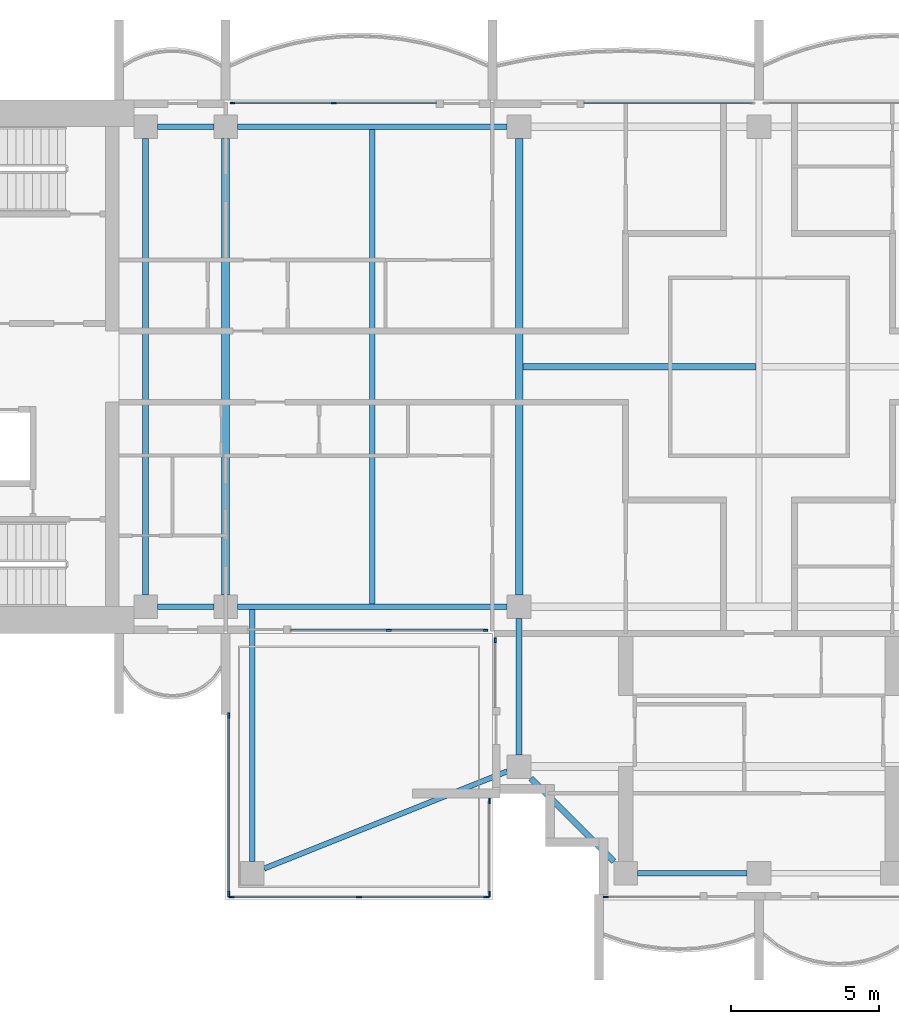
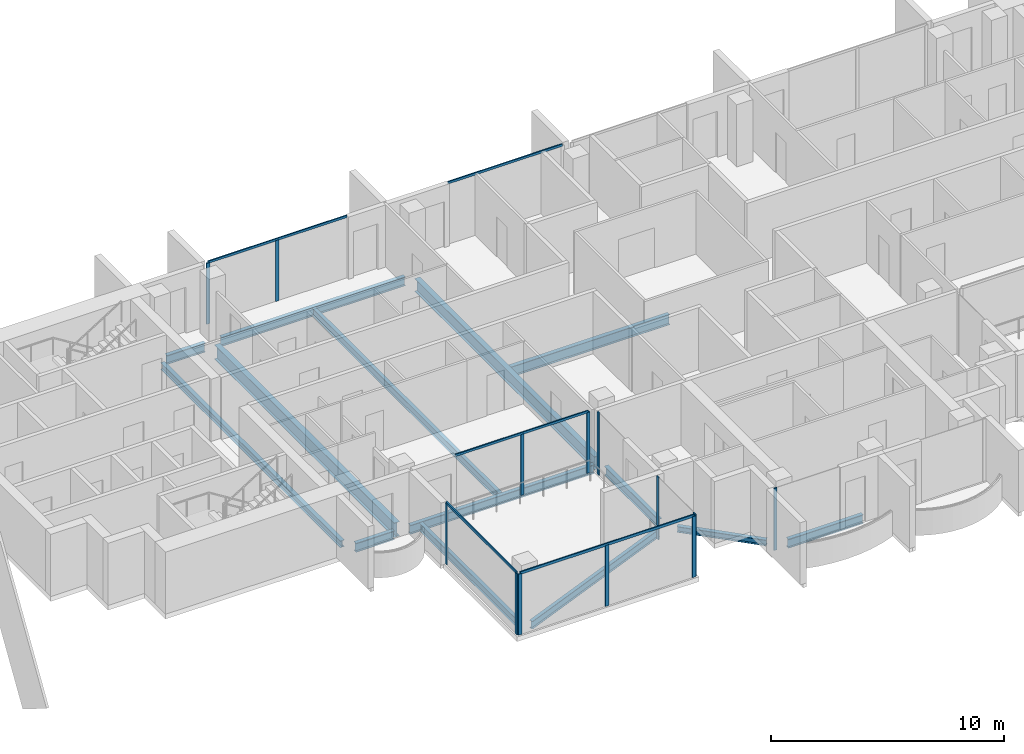
# One storey, part 2 of 16: 18 members, 14 beams, 8 elements without a shape of their own.
"""IFC4 building model written with IfcOpenShell, lengths in metres."""

from ifc_helpers import new_model, si_unit, direction, frame, origin, origin_2d, place, context, subcontext, project, spatial, rectangle, i_section, extrude, material, material_profile, profile_set, type_object, element, aggregate, save


model = new_model("IFC4")

# Units and contexts
model_context = context("Model", 3, precision=1e-05, world=origin(), true_north=direction((0.0, 1.0)))
body_context = subcontext(model_context, "Body", "Model", "MODEL_VIEW")
ifc_project = project(units=[si_unit("LENGTHUNIT", "METRE"), si_unit("AREAUNIT", "SQUARE_METRE"), si_unit("VOLUMEUNIT", "CUBIC_METRE"), si_unit("PLANEANGLEUNIT", "RADIAN"), si_unit("MASSUNIT", "GRAM", prefix="KILO")], contexts=[model_context])

# Site, building, storey
site_placement = place(None, origin())
site = spatial("IfcSite", under=ifc_project, at=site_placement, CompositionType="ELEMENT")
building_placement = place(site_placement, origin())
building = spatial("IfcBuilding", under=site, at=building_placement, Name="Perihelion Cross Residences", CompositionType="ELEMENT")
storey_placement = place(building_placement, frame((0.0, 0.0, 264.0)))
storey = spatial("IfcBuildingStorey", under=building, at=storey_placement, Name="L67", CompositionType="ELEMENT", Elevation=264.0)

# Curtain wall, members
ifc_material_1 = material(Name="Bronze anodised aluminium, tinted glazing", Category="aluminium")
curtain_wall_type_1 = type_object("IfcCurtainWallType", Name="CW1", PredefinedType="NOTDEFINED", material=ifc_material_1)
curtain_wall_1_placement = place(storey_placement, origin())
curtain_wall_1 = element("IfcCurtainWall", 1, at=curtain_wall_1_placement, inside=storey, type_object=curtain_wall_type_1, Name="Curtain wall CW1 L67 west side north bay 1", PredefinedType="NOTDEFINED")
ifc_material_2 = material(Name="Bronze anodised aluminium", Category="aluminium")
ifc_material_profile_1 = material_profile(ifc_material_2, rectangle(XDim=0.06005859375, YDim=0.159912109375, at=origin_2d()), Name="CW1 mullion")
ifc_profile_set_1 = profile_set([ifc_material_profile_1], Name="Bronze anodised aluminium")
member_type_1 = type_object("IfcMemberType", Name="CW1 mullion", PredefinedType="MULLION", material=ifc_profile_set_1)
member_1_placement = place(storey_placement, frame((-14.35009765625, 8.89990234375, 0.0), z_axis=(0.0, 0.0, 1.0), x_axis=(0.0, -1.0, 0.0)))
member_1 = element("IfcMember", 2, at=member_1_placement, type_object=member_type_1, Name="CW1 mullion 2", PredefinedType="MULLION", context=body_context, shape_type="SweptSolid", body=[
    extrude(rectangle(XDim=0.06005859375, YDim=0.159912109375, at=origin_2d()), origin(), (0.0, 0.0, 1.0), 3.18994140625),
])
member_2_placement = place(storey_placement, frame((-17.77001953125, 8.89990234375, 0.0), z_axis=(0.0, 0.0, 1.0), x_axis=(0.0, -1.0, 0.0)))
member_2 = element("IfcMember", 3, at=member_2_placement, type_object=member_type_1, Name="CW1 mullion 3", PredefinedType="MULLION", context=body_context, shape_type="SweptSolid", body=[
    extrude(rectangle(XDim=0.06005859375, YDim=0.159912109375, at=origin_2d()), origin(), (0.0, 0.0, 1.0), 3.18994140625),
])

curtain_wall_2_placement = place(storey_placement, origin())
curtain_wall_2 = element("IfcCurtainWall", 4, at=curtain_wall_2_placement, inside=storey, type_object=curtain_wall_type_1, Name="Curtain wall CW1 L67 west side south bay 2", PredefinedType="NOTDEFINED")
member_3_placement = place(storey_placement, frame((-12.5, -8.89990234375, 0.0), z_axis=(0.0, 0.0, 1.0), x_axis=(0.0, 1.0, 0.0)))
member_3 = element("IfcMember", 5, at=member_3_placement, type_object=member_type_1, Name="CW1 mullion 2", PredefinedType="MULLION", context=body_context, shape_type="SweptSolid", body=[
    extrude(rectangle(XDim=0.06005859375, YDim=0.159912109375, at=origin_2d()), origin(), (0.0, 0.0, 1.0), 3.18994140625),
])
member_4_placement = place(storey_placement, frame((-9.22998046875, -8.89990234375, 0.0), z_axis=(0.0, 0.0, 1.0), x_axis=(0.0, 1.0, 0.0)))
member_4 = element("IfcMember", 6, at=member_4_placement, type_object=member_type_1, Name="CW1 mullion 3", PredefinedType="MULLION", context=body_context, shape_type="SweptSolid", body=[
    extrude(rectangle(XDim=0.06005859375, YDim=0.159912109375, at=origin_2d()), origin(), (0.0, 0.0, 1.0), 3.18994140625),
])

# Curtain wall, member
curtain_wall_3_placement = place(storey_placement, origin())
curtain_wall_3 = element("IfcCurtainWall", 7, at=curtain_wall_3_placement, inside=storey, type_object=curtain_wall_type_1, Name="Curtain wall CW1 L67 south side west bay 1", PredefinedType="NOTDEFINED")
member_5_placement = place(storey_placement, frame((-8.89990234375, -9.22998046875, 0.0), z_axis=(0.0, 0.0, 1.0), x_axis=(1.0, 0.0, 0.0)))
member_5 = element("IfcMember", 8, at=member_5_placement, type_object=member_type_1, Name="CW1 mullion 1", PredefinedType="MULLION", context=body_context, shape_type="SweptSolid", body=[
    extrude(rectangle(XDim=0.06005859375, YDim=0.159912109375, at=origin_2d()), origin(), (0.0, 0.0, 1.0), 3.25),
])
aggregate(curtain_wall_3, [member_5])

curtain_wall_4_placement = place(storey_placement, origin())
curtain_wall_4 = element("IfcCurtainWall", 9, at=curtain_wall_4_placement, inside=storey, type_object=curtain_wall_type_1, Name="Curtain wall CW1 L67 south tip south bay 1", PredefinedType="NOTDEFINED")
member_6_placement = place(storey_placement, frame((-5.169921875, -17.89990234375, 0.0), z_axis=(0.0, 0.0, 1.0), x_axis=(0.0, 1.0, 0.0)))
member_6 = element("IfcMember", 10, at=member_6_placement, type_object=member_type_1, Name="CW1 mullion 1", PredefinedType="MULLION", context=body_context, shape_type="SweptSolid", body=[
    extrude(rectangle(XDim=0.06005859375, YDim=0.159912109375, at=origin_2d()), origin(), (0.0, 0.0, 1.0), 3.25),
])
aggregate(curtain_wall_4, [member_6])

curtain_wall_5_placement = place(storey_placement, origin())
curtain_wall_5 = element("IfcCurtainWall", 11, at=curtain_wall_5_placement, inside=storey, type_object=curtain_wall_type_1, Name="Curtain wall CW1 L67 north side east bay 2", PredefinedType="NOTDEFINED")
ifc_material_3 = material(Name="Bronze anodised aluminium", Category="aluminium")
ifc_material_profile_2 = material_profile(ifc_material_3, rectangle(XDim=0.06005859375, YDim=0.1201171875, at=origin_2d()), Name="CW1 transom")
ifc_profile_set_2 = profile_set([ifc_material_profile_2], Name="Bronze anodised aluminium")
member_type_2 = type_object("IfcMemberType", Name="CW1 transom", PredefinedType="USERDEFINED", material=ifc_profile_set_2)
member_7_placement = place(storey_placement, frame((-0.22998046875, 8.89990234375, 3.219970703125), z_axis=(-1.0, 0.0, 0.0), x_axis=(0.0, -1.0, 0.0)))
member_7 = element("IfcMember", 12, at=member_7_placement, type_object=member_type_2, Name="CW1 head transom", ObjectType="TRANSOM", PredefinedType="USERDEFINED", context=body_context, shape_type="SweptSolid", body=[
    extrude(rectangle(XDim=0.06005859375, YDim=0.1201171875, at=origin_2d()), origin(), (0.0, 0.0, 1.0), 5.669921875),
])
aggregate(curtain_wall_5, [member_7])

# Member
member_8_placement = place(storey_placement, frame((-10.89990234375, 8.89990234375, 3.219970703125), z_axis=(-1.0, 0.0, 0.0), x_axis=(0.0, -1.0, 0.0)))
member_8 = element("IfcMember", 13, at=member_8_placement, type_object=member_type_2, Name="CW1 head transom", ObjectType="TRANSOM", PredefinedType="USERDEFINED", context=body_context, shape_type="SweptSolid", body=[
    extrude(rectangle(XDim=0.06005859375, YDim=0.1201171875, at=origin_2d()), origin(), (0.0, 0.0, 1.0), 6.8701171875),
])

aggregate(curtain_wall_1, [member_1, member_2, member_8])

member_9_placement = place(storey_placement, frame((-15.800048828125, -8.89990234375, 3.219970703125), z_axis=(1.0, 0.0, 0.0), x_axis=(0.0, 1.0, 0.0)))
member_9 = element("IfcMember", 14, at=member_9_placement, type_object=member_type_2, Name="CW1 head transom", ObjectType="TRANSOM", PredefinedType="USERDEFINED", context=body_context, shape_type="SweptSolid", body=[
    extrude(rectangle(XDim=0.06005859375, YDim=0.1201171875, at=origin_2d()), origin(), (0.0, 0.0, 1.0), 6.570068359375),
])

aggregate(curtain_wall_2, [member_3, member_4, member_9])

# Curtain wall, members
ifc_material_4 = material(Name="Bronze anodised aluminium, tinted glazing", Category="aluminium")
curtain_wall_type_2 = type_object("IfcCurtainWallType", Name="CW4", PredefinedType="NOTDEFINED", material=ifc_material_4)
curtain_wall_6_placement = place(storey_placement, origin())
curtain_wall_6 = element("IfcCurtainWall", 15, at=curtain_wall_6_placement, inside=storey, type_object=curtain_wall_type_2, Name="Curtain wall CW4 L67 pocket south-west 1 1", PredefinedType="NOTDEFINED")
ifc_material_5 = material(Name="Bronze anodised aluminium", Category="aluminium")
ifc_material_profile_3 = material_profile(ifc_material_5, rectangle(XDim=0.06005859375, YDim=0.179931640625, at=origin_2d()), Name="CW4 mullion")
ifc_profile_set_3 = profile_set([ifc_material_profile_3], Name="Bronze anodised aluminium")
member_type_3 = type_object("IfcMemberType", Name="CW4 mullion", PredefinedType="MULLION", material=ifc_profile_set_3)
member_10_placement = place(storey_placement, frame((-9.10009765625, -14.658935546875, 0.0), z_axis=(0.0, 0.0, 1.0), x_axis=(1.0, 0.0, 0.0)))
member_10 = element("IfcMember", 16, at=member_10_placement, type_object=member_type_3, Name="CW4 mullion 1", PredefinedType="MULLION", context=body_context, shape_type="SweptSolid", body=[
    extrude(rectangle(XDim=0.06005859375, YDim=0.179931640625, at=origin_2d()), origin(), (0.0, 0.0, 1.0), 3.25),
])
member_11_placement = place(storey_placement, frame((-9.10009765625, -17.800048828125, 0.0), z_axis=(0.0, 0.0, 1.0), x_axis=(1.0, 0.0, 0.0)))
member_11 = element("IfcMember", 17, at=member_11_placement, type_object=member_type_3, Name="CW4 mullion 2", PredefinedType="MULLION", context=body_context, shape_type="SweptSolid", body=[
    extrude(rectangle(XDim=0.06005859375, YDim=0.179931640625, at=origin_2d()), origin(), (0.0, 0.0, 1.0), 3.25),
])
aggregate(curtain_wall_6, [member_10, member_11])

curtain_wall_7_placement = place(storey_placement, origin())
curtain_wall_7 = element("IfcCurtainWall", 18, at=curtain_wall_7_placement, inside=storey, type_object=curtain_wall_type_2, Name="Curtain wall CW4 L67 pocket south-west 1 2", PredefinedType="NOTDEFINED")
member_12_placement = place(storey_placement, frame((-9.199951171875, -17.89990234375, 0.0), z_axis=(0.0, 0.0, 1.0), x_axis=(0.0, -1.0, 0.0)))
member_12 = element("IfcMember", 19, at=member_12_placement, type_object=member_type_3, Name="CW4 mullion 1", PredefinedType="MULLION", context=body_context, shape_type="SweptSolid", body=[
    extrude(rectangle(XDim=0.06005859375, YDim=0.179931640625, at=origin_2d()), origin(), (0.0, 0.0, 1.0), 3.18994140625),
])
member_13_placement = place(storey_placement, frame((-13.5, -17.89990234375, 0.0), z_axis=(0.0, 0.0, 1.0), x_axis=(0.0, -1.0, 0.0)))
member_13 = element("IfcMember", 20, at=member_13_placement, type_object=member_type_3, Name="CW4 mullion 2", PredefinedType="MULLION", context=body_context, shape_type="SweptSolid", body=[
    extrude(rectangle(XDim=0.06005859375, YDim=0.179931640625, at=origin_2d()), origin(), (0.0, 0.0, 1.0), 3.18994140625),
])
member_14_placement = place(storey_placement, frame((-17.800048828125, -17.89990234375, 0.0), z_axis=(0.0, 0.0, 1.0), x_axis=(0.0, -1.0, 0.0)))
member_14 = element("IfcMember", 21, at=member_14_placement, type_object=member_type_3, Name="CW4 mullion 3", PredefinedType="MULLION", context=body_context, shape_type="SweptSolid", body=[
    extrude(rectangle(XDim=0.06005859375, YDim=0.179931640625, at=origin_2d()), origin(), (0.0, 0.0, 1.0), 3.18994140625),
])

curtain_wall_8_placement = place(storey_placement, origin())
curtain_wall_8 = element("IfcCurtainWall", 22, at=curtain_wall_8_placement, inside=storey, type_object=curtain_wall_type_2, Name="Curtain wall CW4 L67 pocket south-west 1 3", PredefinedType="NOTDEFINED")
member_15_placement = place(storey_placement, frame((-17.89990234375, -17.800048828125, 0.0), z_axis=(0.0, 0.0, 1.0), x_axis=(-1.0, 0.0, 0.0)))
member_15 = element("IfcMember", 23, at=member_15_placement, type_object=member_type_3, Name="CW4 mullion 1", PredefinedType="MULLION", context=body_context, shape_type="SweptSolid", body=[
    extrude(rectangle(XDim=0.06005859375, YDim=0.179931640625, at=origin_2d()), origin(), (0.0, 0.0, 1.0), 3.18994140625),
])
member_16_placement = place(storey_placement, frame((-17.89990234375, -11.77001953125, 0.0), z_axis=(0.0, 0.0, 1.0), x_axis=(-1.0, 0.0, 0.0)))
member_16 = element("IfcMember", 24, at=member_16_placement, type_object=member_type_3, Name="CW4 mullion 2", PredefinedType="MULLION", context=body_context, shape_type="SweptSolid", body=[
    extrude(rectangle(XDim=0.06005859375, YDim=0.179931640625, at=origin_2d()), origin(), (0.0, 0.0, 1.0), 3.18994140625),
])

# Member
ifc_material_6 = material(Name="Bronze anodised aluminium", Category="aluminium")
ifc_material_profile_4 = material_profile(ifc_material_6, rectangle(XDim=0.06005859375, YDim=0.139892578125, at=origin_2d()), Name="CW4 transom")
ifc_profile_set_4 = profile_set([ifc_material_profile_4], Name="Bronze anodised aluminium")
member_type_4 = type_object("IfcMemberType", Name="CW4 transom", PredefinedType="USERDEFINED", material=ifc_profile_set_4)
member_17_placement = place(storey_placement, frame((-9.199951171875, -17.89990234375, 3.219970703125), z_axis=(-1.0, 0.0, 0.0), x_axis=(0.0, -1.0, 0.0)))
member_17 = element("IfcMember", 25, at=member_17_placement, type_object=member_type_4, Name="CW4 head transom", ObjectType="TRANSOM", PredefinedType="USERDEFINED", context=body_context, shape_type="SweptSolid", body=[
    extrude(rectangle(XDim=0.06005859375, YDim=0.139892578125, at=origin_2d()), origin(), (0.0, 0.0, 1.0), 8.60009765625),
])

aggregate(curtain_wall_7, [member_12, member_13, member_14, member_17])

member_18_placement = place(storey_placement, frame((-17.89990234375, -17.800048828125, 3.219970703125), z_axis=(0.0, 1.0, 0.0), x_axis=(-1.0, 0.0, 0.0)))
member_18 = element("IfcMember", 26, at=member_18_placement, type_object=member_type_4, Name="CW4 head transom", ObjectType="TRANSOM", PredefinedType="USERDEFINED", context=body_context, shape_type="SweptSolid", body=[
    extrude(rectangle(XDim=0.06005859375, YDim=0.139892578125, at=origin_2d()), origin(), (0.0, 0.0, 1.0), 6.030029296875),
])

aggregate(curtain_wall_8, [member_15, member_16, member_18])

# Beams
ifc_material_7 = material(Name="Steel S355", Category="steel")
ifc_material_profile_5 = material_profile(ifc_material_7, i_section(OverallWidth=0.205078125, OverallDepth=0.35302734375, WebThickness=0.009521484375, FlangeThickness=0.016845703125, at=origin_2d()), Name="W360x79")
ifc_profile_set_5 = profile_set([ifc_material_profile_5], Name="Steel S355")
beam_type_1 = type_object("IfcBeamType", Name="Core edge beam W360x79", PredefinedType="BEAM", material=ifc_profile_set_5)
beam_1_placement = place(storey_placement, frame((-20.699951171875, -7.699951171875, -0.426513671875), z_axis=(0.0, 1.0, 0.0), x_axis=(-1.0, 0.0, 0.0)))
element("IfcBeam", 27, at=beam_1_placement, inside=storey, type_object=beam_type_1, Name="Core edge beam TB7 L67 no. 1", PredefinedType="BEAM", context=body_context, shape_type="SweptSolid", body=[
    extrude(i_section(OverallWidth=0.205078125, OverallDepth=0.35302734375, WebThickness=0.009521484375, FlangeThickness=0.016845703125, at=origin_2d()), origin(), (0.0, 0.0, 1.0), 15.39990234375),
])
ifc_material_8 = material(Name="Steel S355", Category="steel")
ifc_material_profile_6 = material_profile(ifc_material_8, i_section(OverallWidth=0.177978515625, OverallDepth=0.406005859375, WebThickness=0.0078125, FlangeThickness=0.0126953125, at=origin_2d()), Name="W410x60")
ifc_profile_set_6 = profile_set([ifc_material_profile_6], Name="Steel S355")
beam_type_2 = type_object("IfcBeamType", Name="Core edge beam W410x60", PredefinedType="BEAM", material=ifc_profile_set_6)
beam_2_placement = place(storey_placement, frame((-17.10009765625, -8.197021484375, -0.452880859375), z_axis=(0.0, -1.0, 0.0), x_axis=(1.0, 0.0, 0.0)))
element("IfcBeam", 28, at=beam_2_placement, inside=storey, type_object=beam_type_2, Name="Core edge beam TB2 L67 corner no. 1", PredefinedType="BEAM", context=body_context, shape_type="SweptSolid", body=[
    extrude(i_section(OverallWidth=0.177978515625, OverallDepth=0.406005859375, WebThickness=0.0078125, FlangeThickness=0.0126953125, at=origin_2d()), origin(), (0.0, 0.0, 1.0), 8.5029296875),
])
beam_3_placement = place(storey_placement, frame((-8.5, -13.659912109375, -0.452880859375), z_axis=(-0.928474784399, -0.371395442534, 0.0), x_axis=(0.371395442534, -0.928474784399, 0.0)))
element("IfcBeam", 29, at=beam_3_placement, inside=storey, type_object=beam_type_2, Name="Core edge beam TB2 L67 corner no. 2", PredefinedType="BEAM", context=body_context, shape_type="SweptSolid", body=[
    extrude(i_section(OverallWidth=0.177978515625, OverallDepth=0.406005859375, WebThickness=0.0078125, FlangeThickness=0.0126953125, at=origin_2d()), origin(), (0.0, 0.0, 1.0), 8.83154296875),
])
ifc_material_9 = material(Name="Steel S355", Category="steel")
ifc_material_profile_7 = material_profile(ifc_material_9, i_section(OverallWidth=0.194091796875, OverallDepth=0.469970703125, WebThickness=0.0126953125, FlangeThickness=0.0205078125, at=origin_2d()), Name="W460x106")
ifc_profile_set_7 = profile_set([ifc_material_profile_7], Name="Steel S355")
beam_type_3 = type_object("IfcBeamType", Name="Edge beam W460x106", PredefinedType="SPANDREL", material=ifc_profile_set_7)
beam_4_placement = place(storey_placement, frame((-8.5, 8.10009765625, -0.485107421875), z_axis=(-1.0, 0.0, 0.0), x_axis=(0.0, -1.0, 0.0)))
element("IfcBeam", 30, at=beam_4_placement, inside=storey, type_object=beam_type_3, Name="Edge beam SB5 L67 no. 6", PredefinedType="SPANDREL", context=body_context, shape_type="SweptSolid", body=[
    extrude(i_section(OverallWidth=0.194091796875, OverallDepth=0.469970703125, WebThickness=0.0126953125, FlangeThickness=0.0205078125, at=origin_2d()), origin(), (0.0, 0.0, 1.0), 9.10009765625),
])
for number, where, z_axis, x_axis, name in (
    (31, (-18.39990234375, 8.10009765625, -0.485107421875), (-1.0, 0.0, 0.0), (0.0, -1.0, 0.0), "Edge beam SB5 L67 no. 2"),
    (32, (-20.300048828125, -8.10009765625, -0.485107421875), (1.0, 0.0, 0.0), (0.0, 1.0, 0.0), "Edge beam SB5 L67 no. 3"),
):
    element("IfcBeam", number, at=place(storey_placement, frame(where, z_axis=z_axis, x_axis=x_axis)), inside=storey, type_object=beam_type_3, Name=name, PredefinedType="SPANDREL", context=body_context, shape_type="SweptSolid", body=[
        extrude(i_section(OverallWidth=0.194091796875, OverallDepth=0.469970703125, WebThickness=0.0126953125, FlangeThickness=0.0205078125, at=origin_2d()), origin(), (0.0, 0.0, 1.0), 1.900146484375),
    ])
beam_5_placement = place(storey_placement, frame((-17.60009765625, -8.10009765625, -0.485107421875), z_axis=(1.0, 0.0, 0.0), x_axis=(0.0, 1.0, 0.0)))
element("IfcBeam", 33, at=beam_5_placement, inside=storey, type_object=beam_type_3, Name="Edge beam SB5 L67 no. 1", PredefinedType="SPANDREL", context=body_context, shape_type="SweptSolid", body=[
    extrude(i_section(OverallWidth=0.194091796875, OverallDepth=0.469970703125, WebThickness=0.0126953125, FlangeThickness=0.0205078125, at=origin_2d()), origin(), (0.0, 0.0, 1.0), 9.10009765625),
])
beam_6_placement = place(storey_placement, frame((-8.10009765625, -8.5, -0.485107421875), z_axis=(0.0, -1.0, 0.0), x_axis=(1.0, 0.0, 0.0)))
element("IfcBeam", 34, at=beam_6_placement, inside=storey, type_object=beam_type_3, Name="Edge beam SB5 L67 no. 5", PredefinedType="SPANDREL", context=body_context, shape_type="SweptSolid", body=[
    extrude(i_section(OverallWidth=0.194091796875, OverallDepth=0.469970703125, WebThickness=0.0126953125, FlangeThickness=0.0205078125, at=origin_2d()), origin(), (0.0, 0.0, 1.0), 4.60009765625),
])
beam_7_placement = place(storey_placement, frame((-4.10009765625, -17.10009765625, -0.485107421875), z_axis=(1.0, 0.0, 0.0), x_axis=(0.0, 1.0, 0.0)))
element("IfcBeam", 35, at=beam_7_placement, inside=storey, type_object=beam_type_3, Name="Edge beam SB5 L67 no. 4", PredefinedType="SPANDREL", context=body_context, shape_type="SweptSolid", body=[
    extrude(i_section(OverallWidth=0.194091796875, OverallDepth=0.469970703125, WebThickness=0.0126953125, FlangeThickness=0.0205078125, at=origin_2d()), origin(), (0.0, 0.0, 1.0), 3.7001953125),
])
ifc_material_10 = material(Name="Steel S355", Category="steel")
ifc_material_profile_8 = material_profile(ifc_material_10, i_section(OverallWidth=0.26708984375, OverallDepth=0.75390625, WebThickness=0.01318359375, FlangeThickness=0.01708984375, at=origin_2d()), Name="W760x147")
ifc_profile_set_8 = profile_set([ifc_material_profile_8], Name="Steel S355")
beam_type_4 = type_object("IfcBeamType", Name="Floor girder W760x147", PredefinedType="BEAM", material=ifc_profile_set_8)
beam_8_placement = place(storey_placement, frame((-18.0, -7.699951171875, -0.626953125), z_axis=(0.0, 1.0, 0.0), x_axis=(-1.0, 0.0, 0.0)))
element("IfcBeam", 36, at=beam_8_placement, inside=storey, type_object=beam_type_4, Name="Girder G5 L67 no. 1", PredefinedType="BEAM", context=body_context, shape_type="SweptSolid", body=[
    extrude(i_section(OverallWidth=0.26708984375, OverallDepth=0.75390625, WebThickness=0.01318359375, FlangeThickness=0.01708984375, at=origin_2d()), origin(), (0.0, 0.0, 1.0), 15.39990234375),
])
ifc_material_11 = material(Name="Steel S355", Category="steel")
ifc_material_profile_9 = material_profile(ifc_material_11, i_section(OverallWidth=0.177978515625, OverallDepth=0.406005859375, WebThickness=0.0078125, FlangeThickness=0.0126953125, at=origin_2d()), Name="W410x60")
ifc_profile_set_9 = profile_set([ifc_material_profile_9], Name="Steel S355")
beam_type_5 = type_object("IfcBeamType", Name="Floor joist W410x60", PredefinedType="JOIST", material=ifc_profile_set_9)
beam_9_placement = place(storey_placement, frame((-13.050048828125, -8.0029296875, -0.452880859375), z_axis=(0.0, 1.0, 0.0), x_axis=(-1.0, 0.0, 0.0)))
element("IfcBeam", 37, at=beam_9_placement, inside=storey, type_object=beam_type_5, Name="Joist J6 L67 no. 1", PredefinedType="JOIST", context=body_context, shape_type="SweptSolid", body=[
    extrude(i_section(OverallWidth=0.177978515625, OverallDepth=0.406005859375, WebThickness=0.0078125, FlangeThickness=0.0126953125, at=origin_2d()), origin(), (0.0, 0.0, 1.0), 16.005859375),
])
ifc_material_12 = material(Name="Steel S355", Category="steel")
ifc_material_profile_10 = material_profile(ifc_material_12, i_section(OverallWidth=0.208984375, OverallDepth=0.532958984375, WebThickness=0.01025390625, FlangeThickness=0.015625, at=origin_2d()), Name="W530x92")
ifc_profile_set_10 = profile_set([ifc_material_profile_10], Name="Steel S355")
beam_type_6 = type_object("IfcBeamType", Name="Hub cross beam W530x92", PredefinedType="BEAM", material=ifc_profile_set_10)
beam_10_placement = place(storey_placement, frame((-7.972900390625, 0.0, -0.5166015625), z_axis=(1.0, 0.0, 0.0), x_axis=(0.0, 1.0, 0.0)))
element("IfcBeam", 38, at=beam_10_placement, inside=storey, type_object=beam_type_6, Name="Hub cross beam XB5 L67 1 no. 1", PredefinedType="BEAM", context=body_context, shape_type="SweptSolid", body=[
    extrude(i_section(OverallWidth=0.208984375, OverallDepth=0.532958984375, WebThickness=0.01025390625, FlangeThickness=0.015625, at=origin_2d()), origin(), (0.0, 0.0, 1.0), 7.868408203125),
])
ifc_material_13 = material(Name="Steel S355", Category="steel")
ifc_material_profile_11 = material_profile(ifc_material_13, i_section(OverallWidth=0.25390625, OverallDepth=0.677978515625, WebThickness=0.01171875, FlangeThickness=0.016357421875, at=origin_2d()), Name="W690x125")
ifc_profile_set_11 = profile_set([ifc_material_profile_11], Name="Steel S355")
beam_type_7 = type_object("IfcBeamType", Name="Hub ring girder W690x125", PredefinedType="BEAM", material=ifc_profile_set_11)
beam_11_placement = place(storey_placement, frame((-8.10009765625, 7.699951171875, -0.589111328125), z_axis=(0.0, -1.0, 0.0), x_axis=(1.0, 0.0, 0.0)))
element("IfcBeam", 39, at=beam_11_placement, inside=storey, type_object=beam_type_7, Name="Hub ring girder RG5 L67 no. 2", PredefinedType="BEAM", context=body_context, shape_type="SweptSolid", body=[
    extrude(i_section(OverallWidth=0.25390625, OverallDepth=0.677978515625, WebThickness=0.01171875, FlangeThickness=0.016357421875, at=origin_2d()), origin(), (0.0, 0.0, 1.0), 15.39990234375),
])
ifc_material_14 = material(Name="Steel S355", Category="steel")
ifc_material_profile_12 = material_profile(ifc_material_14, i_section(OverallWidth=0.202880859375, OverallDepth=0.302001953125, WebThickness=0.007568359375, FlangeThickness=0.01318359375, at=origin_2d()), Name="W310x60")
ifc_profile_set_12 = profile_set([ifc_material_profile_12], Name="Steel S355")
beam_type_8 = type_object("IfcBeamType", Name="Serration edge beam W310x60", PredefinedType="BEAM", material=ifc_profile_set_12)
beam_12_placement = place(storey_placement, frame((-7.699951171875, -13.89990234375, -0.40087890625), z_axis=(0.707106781187, -0.707106781187, 0.0), x_axis=(0.707106781187, 0.707106781187, 0.0)))
element("IfcBeam", 40, at=beam_12_placement, inside=storey, type_object=beam_type_8, Name="Serration edge beam EB5 L67 no. 1", PredefinedType="BEAM", context=body_context, shape_type="SweptSolid", body=[
    extrude(i_section(OverallWidth=0.202880859375, OverallDepth=0.302001953125, WebThickness=0.007568359375, FlangeThickness=0.01318359375, at=origin_2d()), origin(), (0.0, 0.0, 1.0), 3.9599609375),
])

save(model, "model.ifc")
